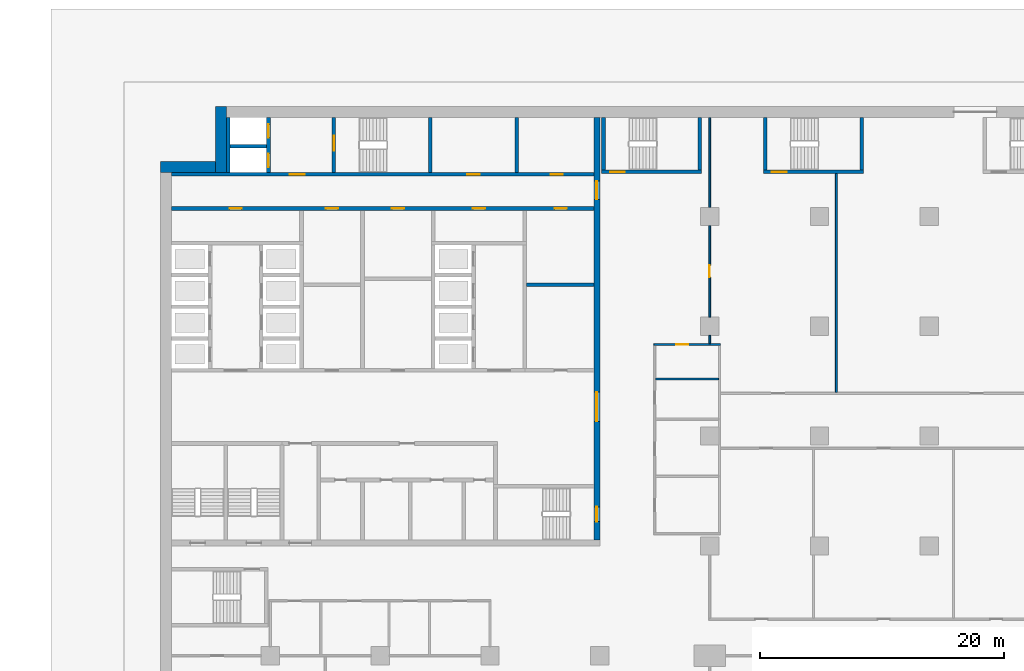
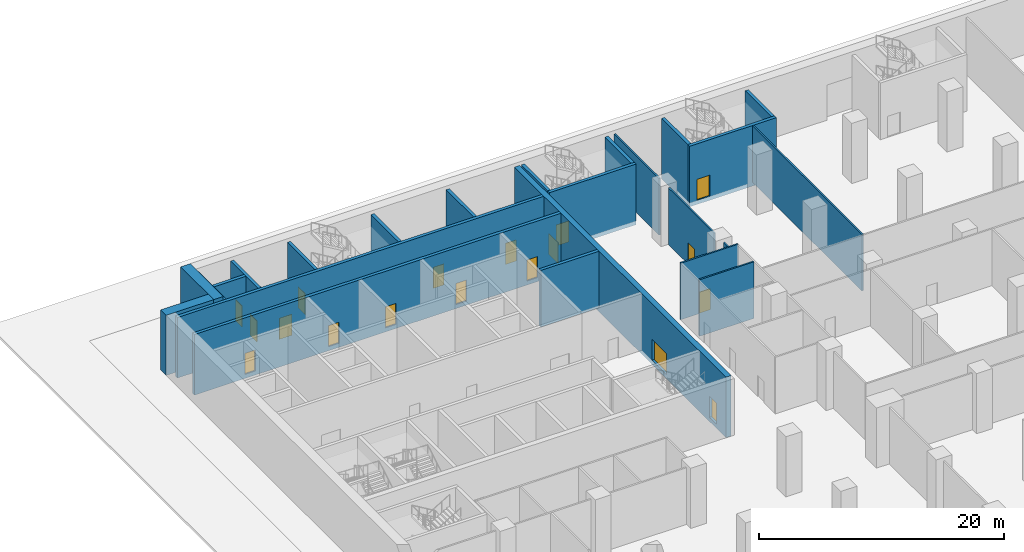
# One storey, part 20 of 47: 24 walls, 18 doors, 18 openings.
"""IFC4 building model written with IfcOpenShell, lengths in metres."""

import ifcopenshell
import ifcopenshell.guid

model = None  # the IFC model being written
_history = None  # IfcOwnerHistory: only IFC2X3 demands one
_inside = {}  # id of a spatial element -> (the spatial element, [elements in it])
_under = {}  # id of a project, library or spatial element -> (it, [spatial elements below it])
_declared = {}  # id of a project -> (the project, [libraries it declares])
_typed = {}  # id of a type object -> (the type object, [elements of that type])
_made_of = {}  # id of a material, layer set ... -> (it, [elements and type objects made of it])


def new_model(schema):
    """Start an empty IFC model of exactly this schema.

    Asked for "IFC4X3", IfcOpenShell would pick the latest addendum, in which some entities
    have other attributes; the version numbers below select the first issue.
    IFC2X3 requires an IfcOwnerHistory on every rooted entity: one is made here for all.
    """
    global model, _history
    if schema == "IFC4X3":
        model = ifcopenshell.file(schema_version=(4, 3, 0, 0))
    else:
        model = ifcopenshell.file(schema=schema)
    _inside.clear()
    _under.clear()
    _declared.clear()
    _typed.clear()
    _made_of.clear()
    _history = None
    if model.schema == "IFC2X3":
        org = make("IfcOrganization", Name="unknown")
        user = make(
            "IfcPersonAndOrganization",
            ThePerson=make("IfcPerson", FamilyName="unknown"),
            TheOrganization=org,
        )
        app = make(
            "IfcApplication",
            ApplicationDeveloper=org,
            Version="unknown",
            ApplicationFullName="unknown",
            ApplicationIdentifier="unknown",
        )
        _history = make(
            "IfcOwnerHistory",
            OwningUser=user,
            OwningApplication=app,
            ChangeAction="ADDED",
            CreationDate=0,
        )
    return model


def make(cls, **values):
    """One entity of the class cls with the attributes given. An attribute that is None is left unset."""
    return model.create_entity(
        cls, **{name: value for name, value in values.items() if value is not None}
    )


def rooted(cls, **values):
    """An entity with a GlobalId (a new one), such as an element, a storey or a relation."""
    return make(cls, GlobalId=ifcopenshell.guid.new(), OwnerHistory=_history, **values)


def si_unit(unit_type, name, prefix=None):
    """IfcSIUnit, for example si_unit("LENGTHUNIT", "METRE", prefix="MILLI")."""
    return make("IfcSIUnit", UnitType=unit_type, Prefix=prefix, Name=name)


def assignment(units):
    """IfcUnitAssignment: the units of a project."""
    return None if units is None else make("IfcUnitAssignment", Units=units)


def point(xyz):
    """IfcCartesianPoint."""
    return None if xyz is None else make("IfcCartesianPoint", Coordinates=xyz)


def direction(xyz):
    """IfcDirection."""
    return None if xyz is None else make("IfcDirection", DirectionRatios=xyz)


def frame(location, z_axis=None, x_axis=None):
    """IfcAxis2Placement3D, a coordinate frame: its origin and axes. An axis left out is left unset."""
    return make(
        "IfcAxis2Placement3D",
        Location=point(location),
        Axis=direction(z_axis),
        RefDirection=direction(x_axis),
    )


def frame_2d(location, x_axis=None):
    """IfcAxis2Placement2D, a coordinate frame in the plane: its origin and x axis."""
    return make(
        "IfcAxis2Placement2D", Location=point(location), RefDirection=direction(x_axis)
    )


def origin():
    """The frame at (0, 0, 0) with its axes left unset."""
    return frame((0.0, 0.0, 0.0))


def place(relative_to, where):
    """IfcLocalPlacement: puts the frame where relative to a parent placement (None: the world)."""
    return make(
        "IfcLocalPlacement", PlacementRelTo=relative_to, RelativePlacement=where
    )


def context(
    kind, dimensions, precision=None, world=None, true_north=None, identifier=None
):
    """IfcGeometricRepresentationContext, for example the 3D "Model" context."""
    return make(
        "IfcGeometricRepresentationContext",
        ContextIdentifier=identifier,
        ContextType=kind,
        CoordinateSpaceDimension=dimensions,
        Precision=precision,
        WorldCoordinateSystem=world,
        TrueNorth=true_north,
    )


def subcontext(parent, identifier, kind, view, scale=None):
    """IfcGeometricRepresentationSubContext, for example "Body" below "Model"."""
    return make(
        "IfcGeometricRepresentationSubContext",
        ContextIdentifier=identifier,
        ContextType=kind,
        ParentContext=parent,
        TargetScale=scale,
        TargetView=view,
    )


def project(units=None, contexts=None):
    """IfcProject with its units and contexts."""
    return rooted(
        "IfcProject",
        Name="project",
        RepresentationContexts=contexts,
        UnitsInContext=assignment(units),
    )


def spatial(cls, under=None, at=None, **own):
    """A site, building, storey or space (cls), placed at a placement, below another one or the project."""
    s = rooted(cls, ObjectPlacement=at, **own)
    if under is not None:
        _under.setdefault(under.id(), (under, []))[1].append(s)
    return s


def profile(cls, at=None, kind="AREA", **sizes):
    """A parametric profile (cls). Its sizes go by their IFC names, for example OverallWidth=200.0."""
    return make(cls, ProfileType=kind, Position=at, **sizes)


def rectangle(**sizes):
    """IfcRectangleProfileDef."""
    return profile("IfcRectangleProfileDef", **sizes)


def extrude(swept, where, along, depth):
    """IfcExtrudedAreaSolid: the profile swept, set in the frame where, extruded along a direction by depth."""
    return make(
        "IfcExtrudedAreaSolid",
        SweptArea=swept,
        Position=where,
        ExtrudedDirection=direction(along),
        Depth=depth,
    )


def shape(context_of_items, identifier, shape_type, items):
    """IfcShapeRepresentation: the items that make up one representation, for example the "Body"."""
    return make(
        "IfcShapeRepresentation",
        ContextOfItems=context_of_items,
        RepresentationIdentifier=identifier,
        RepresentationType=shape_type,
        Items=items,
    )


def material(Name=None, Category=None):
    """IfcMaterial."""
    return make("IfcMaterial", Name=Name, Category=Category)


def layer(
    of_material, thickness, ventilated=None, Name=None, Category=None, Priority=None
):
    """IfcMaterialLayer: one layer of a wall or slab, of a material (None: an air gap)."""
    return make(
        "IfcMaterialLayer",
        Material=of_material,
        LayerThickness=thickness,
        IsVentilated=ventilated,
        Name=Name,
        Category=Category,
        Priority=Priority,
    )


def layer_set(layers, Name=None):
    """IfcMaterialLayerSet."""
    return make("IfcMaterialLayerSet", MaterialLayers=layers, LayerSetName=Name)


def made_of(thing, what):
    """Note that an element or type object is made of a material, layer set ...; save() writes the relation."""
    if what is not None:
        _made_of.setdefault(what.id(), (what, []))[1].append(thing)
    return thing


def type_object(cls, material=None, **own):
    """A type object (cls), such as IfcWallType, which elements share."""
    return made_of(rooted(cls, **own), material)


def element(
    cls,
    number,
    at=None,
    inside=None,
    cuts=None,
    type_object=None,
    material=None,
    context=None,
    identifier="Body",
    shape_type=None,
    held_by="IfcProductDefinitionShape",
    body=None,
    shapes=None,
    **own,
):
    """One element of the class cls, such as IfcWall. Its Tag is "e" and its number.

    at: its placement. inside: the storey or other place that contains it. cuts: it is an
    opening in that element (IfcRelVoidsElement). A single representation is given by context,
    identifier, shape_type and body (its items); several are given by shapes. held_by: the class
    of the entity that holds the representations. save() writes the other relations.
    """
    e = rooted(cls, Tag="e%d" % number, ObjectPlacement=at, **own)
    if body is not None:
        shapes = [shape(context, identifier, shape_type, body)]
    if shapes is not None:
        e.Representation = make(held_by, Representations=shapes)
    if inside is not None:
        _inside.setdefault(inside.id(), (inside, []))[1].append(e)
    if cuts is not None:
        rooted(
            "IfcRelVoidsElement", RelatingBuildingElement=cuts, RelatedOpeningElement=e
        )
    if type_object is not None:
        _typed.setdefault(type_object.id(), (type_object, []))[1].append(e)
    return made_of(e, material)


def fill(opening, filler):
    """IfcRelFillsElement: the door or window that sits in an opening."""
    return rooted(
        "IfcRelFillsElement",
        RelatingOpeningElement=opening,
        RelatedBuildingElement=filler,
    )


def aggregate(whole, parts):
    """IfcRelAggregates: a whole, such as a stair, and the parts it consists of."""
    return rooted("IfcRelAggregates", RelatingObject=whole, RelatedObjects=parts)


def save(model, path):
    """Write the relations noted so far, then the file.

    IfcRelAggregates (storeys below a building ...), IfcRelContainedInSpatialStructure (elements
    in a storey), IfcRelDefinesByType, IfcRelAssociatesMaterial and IfcRelDeclares: one each for
    every whole, place, type object, material and project.
    """
    for whole, parts in _under.values():
        aggregate(whole, parts)
    for where, things in _inside.values():
        rooted(
            "IfcRelContainedInSpatialStructure",
            RelatedElements=things,
            RelatingStructure=where,
        )
    for kind, things in _typed.values():
        rooted("IfcRelDefinesByType", RelatedObjects=things, RelatingType=kind)
    for what, things in _made_of.values():
        rooted("IfcRelAssociatesMaterial", RelatedObjects=things, RelatingMaterial=what)
    for by, libraries in _declared.values():
        rooted("IfcRelDeclares", RelatingContext=by, RelatedDefinitions=libraries)
    model.write(path)


model = new_model("IFC4")

# Units and contexts
model_context = context("Model", 3, precision=1e-05, world=origin(), true_north=direction((0.0, 1.0)))
body_context = subcontext(model_context, "Body", "Model", "MODEL_VIEW")
ifc_project = project(units=[si_unit("LENGTHUNIT", "METRE"), si_unit("AREAUNIT", "SQUARE_METRE"), si_unit("VOLUMEUNIT", "CUBIC_METRE"), si_unit("PLANEANGLEUNIT", "RADIAN"), si_unit("MASSUNIT", "GRAM", prefix="KILO")], contexts=[model_context])

# Site, building, storey
site_placement = place(None, origin())
site = spatial("IfcSite", under=ifc_project, at=site_placement, CompositionType="ELEMENT")
building_placement = place(site_placement, origin())
building = spatial("IfcBuilding", under=site, at=building_placement, Name="Hunhe Ridgeline Campus", CompositionType="ELEMENT")
storey_placement = place(building_placement, origin())
storey = spatial("IfcBuildingStorey", under=building, at=storey_placement, Name="L00", CompositionType="ELEMENT", Elevation=0.0)

# Wall
ifc_material_1 = material(Name="Plastered blockwork", Category="masonry")
ifc_layer_1 = layer(ifc_material_1, 0.14990234375)
ifc_layer_set_1 = layer_set([ifc_layer_1], Name="Blockwork partition 150")
wall_type_1 = type_object("IfcWallType", Name="Blockwork partition 150", PredefinedType="PARTITIONING", material=ifc_layer_set_1)
wall_1_placement = place(storey_placement, frame((45.0, 79.574951171875, 0.0), z_axis=(0.0, 0.0, 1.0), x_axis=(0.0, 1.0, 0.0)))
element("IfcWall", 1, at=wall_1_placement, inside=storey, type_object=wall_type_1, Name="L00 partition", PredefinedType="PARTITIONING", context=body_context, shape_type="SweptSolid", body=[
    extrude(rectangle(XDim=0.675048828125, YDim=0.14990234375, at=frame_2d((0.33740234375, 0.0))), origin(), (0.0, 0.0, 1.0), 5.64990234375),
])

# Wall, opening, door
wall_2_placement = place(storey_placement, frame((45.0, 81.75, 0.0), z_axis=(0.0, 0.0, 1.0), x_axis=(0.0, 1.0, 0.0)))
wall_2 = element("IfcWall", 2, at=wall_2_placement, inside=storey, type_object=wall_type_1, Name="L00 partition", PredefinedType="PARTITIONING", context=body_context, shape_type="SweptSolid", body=[
    extrude(rectangle(XDim=7.5, YDim=0.14990234375, at=frame_2d((3.75, 0.0))), origin(), (0.0, 0.0, 1.0), 5.64990234375),
])
opening_1_placement = place(wall_2_placement, frame((3.25, 0.0, 0.0)))
opening_1 = element("IfcOpeningElement", 3, at=opening_1_placement, cuts=wall_2, Name="Opening PD167", PredefinedType="OPENING", context=body_context, shape_type="SweptSolid", body=[
    extrude(rectangle(XDim=1.0, YDim=2.10009765625, at=frame_2d((0.5, 1.050048828125))), frame((0.0, 0.074951171875, 0.0), z_axis=(0.0, -1.0, 0.0), x_axis=(1.0, 0.0, 0.0)), (0.0, 0.0, 1.0), 0.14990234375),
])
ifc_material_2 = material(Name="Timber", Category="wood")
door_type_1 = type_object("IfcDoorType", Name="Podium timber door 1000x2100", OperationType="NOTDEFINED", PredefinedType="DOOR", material=ifc_material_2)
door_1_placement = place(opening_1_placement, origin())
door_1 = element("IfcDoor", 4, at=door_1_placement, inside=storey, type_object=door_type_1, Name="Goods Receiving Store door", OperationType="SINGLE_SWING_RIGHT", OverallHeight=2.10009765625, OverallWidth=1.0, PredefinedType="DOOR", context=body_context, shape_type="SweptSolid", body=[
    extrude(rectangle(XDim=1.0, YDim=2.10009765625, at=frame_2d((0.5, 1.050048828125))), frame((0.0, 0.02490234375, 0.0), z_axis=(0.0, -1.0, 0.0), x_axis=(1.0, 0.0, 0.0)), (0.0, 0.0, 1.0), 0.050048828125),
])
fill(opening_1, door_1)

# Walls
wall_3_placement = place(storey_placement, frame((45.0, 90.75, 0.0), z_axis=(0.0, 0.0, 1.0), x_axis=(0.0, 1.0, 0.0)))
element("IfcWall", 5, at=wall_3_placement, inside=storey, type_object=wall_type_1, Name="L00 partition", PredefinedType="PARTITIONING", context=body_context, shape_type="SweptSolid", body=[
    extrude(rectangle(XDim=7.35009765625, YDim=0.14990234375, at=frame_2d((3.675048828125, 0.0))), origin(), (0.0, 0.0, 1.0), 5.64990234375),
])
wall_4_placement = place(storey_placement, frame((40.574951171875, 76.681884765625, 0.0), z_axis=(0.0, 0.0, 1.0), x_axis=(1.0, 0.0, 0.0)))
element("IfcWall", 6, at=wall_4_placement, inside=storey, type_object=wall_type_1, Name="L00 partition", PredefinedType="PARTITIONING", context=body_context, shape_type="SweptSolid", body=[
    extrude(rectangle(XDim=5.150146484375, YDim=0.14990234375, at=frame_2d((2.5751953125, 0.0))), origin(), (0.0, 0.0, 1.0), 5.64990234375),
])

# Wall, opening, door
wall_5_placement = place(storey_placement, frame((40.425048828125, 79.5, 0.0), z_axis=(0.0, 0.0, 1.0), x_axis=(1.0, 0.0, 0.0)))
wall_5 = element("IfcWall", 7, at=wall_5_placement, inside=storey, type_object=wall_type_1, Name="L00 partition", PredefinedType="PARTITIONING", context=body_context, shape_type="SweptSolid", body=[
    extrude(rectangle(XDim=5.449951171875, YDim=0.14990234375, at=frame_2d((2.72509765625, 0.0))), origin(), (0.0, 0.0, 1.0), 5.64990234375),
])
opening_2_placement = place(wall_5_placement, frame((1.824951171875, 0.0, 0.0)))
opening_2 = element("IfcOpeningElement", 8, at=opening_2_placement, cuts=wall_5, Name="Opening PD156", PredefinedType="OPENING", context=body_context, shape_type="SweptSolid", body=[
    extrude(rectangle(XDim=1.0, YDim=2.10009765625, at=frame_2d((0.5, 1.050048828125))), frame((0.0, 0.074951171875, 0.0), z_axis=(0.0, -1.0, 0.0), x_axis=(1.0, 0.0, 0.0)), (0.0, 0.0, 1.0), 0.14990234375),
])
door_2_placement = place(opening_2_placement, origin())
door_2 = element("IfcDoor", 9, at=door_2_placement, inside=storey, type_object=door_type_1, Name="Cleaners Store door", OperationType="SINGLE_SWING_LEFT", OverallHeight=2.10009765625, OverallWidth=1.0, PredefinedType="DOOR", context=body_context, shape_type="SweptSolid", body=[
    extrude(rectangle(XDim=1.0, YDim=2.10009765625, at=frame_2d((0.5, 1.050048828125))), frame((0.0, 0.02490234375, 0.0), z_axis=(0.0, -1.0, 0.0), x_axis=(1.0, 0.0, 0.0)), (0.0, 0.0, 1.0), 0.050048828125),
])
fill(opening_2, door_2)

# Walls
wall_6_placement = place(storey_placement, frame((55.385009765625, 75.574951171875, 0.0), z_axis=(0.0, 0.0, 1.0), x_axis=(0.0, 1.0, 0.0)))
element("IfcWall", 10, at=wall_6_placement, inside=storey, type_object=wall_type_1, Name="L00 partition", PredefinedType="PARTITIONING", context=body_context, shape_type="SweptSolid", body=[
    extrude(rectangle(XDim=17.925048828125, YDim=0.14990234375, at=frame_2d((8.96240234375, 0.0))), origin(), (0.0, 0.0, 1.0), 5.64990234375),
])
ifc_material_3 = material(Name="Masonry concrete blockwork", Category="masonry")
ifc_layer_2 = layer(ifc_material_3, 0.300048828125)
ifc_layer_set_2 = layer_set([ifc_layer_2], Name="Core room partition 300 concrete block")
wall_type_2 = type_object("IfcWallType", Name="Core room partition 300 concrete block", PredefinedType="PARTITIONING", material=ifc_layer_set_2)
wall_7_placement = place(storey_placement, frame((30.0, 84.39990234375, 0.0), z_axis=(0.0, 0.0, 1.0), x_axis=(1.0, 0.0, 0.0)))
element("IfcWall", 11, at=wall_7_placement, inside=storey, type_object=wall_type_2, Name="L00 core partition 23", PredefinedType="PARTITIONING", context=body_context, shape_type="SweptSolid", body=[
    extrude(rectangle(XDim=5.5, YDim=0.300048828125, at=frame_2d((2.75, 0.0))), origin(), (0.0, 0.0, 1.0), 5.64990234375),
])
wall_8_placement = place(storey_placement, frame((29.199951171875, 93.60009765625, 0.0), z_axis=(0.0, 0.0, 1.0), x_axis=(0.0, 1.0, 0.0)))
element("IfcWall", 12, at=wall_8_placement, inside=storey, type_object=wall_type_2, Name="L00 core partition 61", PredefinedType="PARTITIONING", context=body_context, shape_type="SweptSolid", body=[
    extrude(rectangle(XDim=4.5, YDim=0.300048828125, at=frame_2d((2.25, 0.0))), origin(), (0.0, 0.0, 1.0), 5.64990234375),
])

# Wall, openings, doors
ifc_material_4 = material(Name="Concrete C80", Category="concrete")
ifc_layer_3 = layer(ifc_material_4, 0.5)
ifc_layer_set_3 = layer_set([ifc_layer_3], Name="Core wall 500 reinforced concrete C80")
wall_type_3 = type_object("IfcWallType", Name="Core wall 500 reinforced concrete C80", PredefinedType="SOLIDWALL", material=ifc_layer_set_3)
wall_9_placement = place(storey_placement, frame((35.75, 63.5, -0.39990234375), z_axis=(0.0, 0.0, 1.0), x_axis=(0.0, 1.0, 0.0)))
wall_9 = element("IfcWall", 13, at=wall_9_placement, inside=storey, type_object=wall_type_3, Name="L00 core wall 64", PredefinedType="SOLIDWALL", context=body_context, shape_type="SweptSolid", body=[
    extrude(rectangle(XDim=34.60009765625, YDim=0.5, at=frame_2d((17.300048828125, 0.0))), origin(), (0.0, 0.0, 1.0), 6.0498046875),
])
opening_3_placement = place(wall_9_placement, frame((9.699951171875, 0.0, 0.39990234375)))
opening_3 = element("IfcOpeningElement", 14, at=opening_3_placement, cuts=wall_9, Name="Opening CD4", PredefinedType="OPENING", context=body_context, shape_type="SweptSolid", body=[
    extrude(rectangle(XDim=2.39990234375, YDim=2.10009765625, at=frame_2d((1.199951171875, 1.050048828125))), frame((0.0, 0.25, 0.0), z_axis=(0.0, -1.0, 0.0), x_axis=(1.0, 0.0, 0.0)), (0.0, 0.0, 1.0), 0.5),
])
opening_4_placement = place(wall_9_placement, frame((27.89990234375, 0.0, 0.39990234375)))
opening_4 = element("IfcOpeningElement", 15, at=opening_4_placement, cuts=wall_9, Name="Opening CD5", PredefinedType="OPENING", context=body_context, shape_type="SweptSolid", body=[
    extrude(rectangle(XDim=1.5, YDim=2.10009765625, at=frame_2d((0.75, 1.050048828125))), frame((0.0, 0.25, 0.0), z_axis=(0.0, -1.0, 0.0), x_axis=(1.0, 0.0, 0.0)), (0.0, 0.0, 1.0), 0.5),
])
opening_5_placement = place(wall_9_placement, frame((1.5, 0.0, 0.39990234375)))
opening_5 = element("IfcOpeningElement", 16, at=opening_5_placement, cuts=wall_9, Name="Opening CD15", PredefinedType="OPENING", context=body_context, shape_type="SweptSolid", body=[
    extrude(rectangle(XDim=1.199951171875, YDim=2.10009765625, at=frame_2d((0.60009765625, 1.050048828125))), frame((0.0, 0.25, 0.0), z_axis=(0.0, -1.0, 0.0), x_axis=(1.0, 0.0, 0.0)), (0.0, 0.0, 1.0), 0.5),
])
ifc_material_5 = material(Name="Anodised aluminium and glass", Category="aluminium")
door_type_2 = type_object("IfcDoorType", Name="Glazed double door 2400x2100", OperationType="DOUBLE_DOOR_SINGLE_SWING", PredefinedType="DOOR", material=ifc_material_5)
door_3_placement = place(opening_3_placement, frame((2.39990234375, 0.0, 0.0), z_axis=(0.0, 0.0, 1.0), x_axis=(-1.0, 0.0, 0.0)))
door_3 = element("IfcDoor", 17, at=door_3_placement, inside=storey, type_object=door_type_2, Name="L00 door HALL-FLOOR", OperationType="DOUBLE_DOOR_SINGLE_SWING", OverallHeight=2.10009765625, OverallWidth=2.39990234375, PredefinedType="DOOR", context=body_context, shape_type="SweptSolid", body=[
    extrude(rectangle(XDim=2.39990234375, YDim=2.10009765625, at=frame_2d((1.199951171875, 1.050048828125))), frame((0.0, 0.02490234375, 0.0), z_axis=(0.0, -1.0, 0.0), x_axis=(1.0, 0.0, 0.0)), (0.0, 0.0, 1.0), 0.050048828125),
])
fill(opening_3, door_3)
ifc_material_6 = material(Name="Hollow metal fire door leaf")
door_type_3 = type_object("IfcDoorType", Name="Stair door 1200x2100 FD60", OperationType="SINGLE_SWING_LEFT", PredefinedType="DOOR", material=ifc_material_6)
door_4_placement = place(opening_5_placement, frame((1.199951171875, 0.0, 0.0), z_axis=(0.0, 0.0, 1.0), x_axis=(-1.0, 0.0, 0.0)))
door_4 = element("IfcDoor", 18, at=door_4_placement, inside=storey, type_object=door_type_3, Name="L00 door S2-FLOOR", OperationType="SINGLE_SWING_RIGHT", OverallHeight=2.10009765625, OverallWidth=1.199951171875, PredefinedType="DOOR", context=body_context, shape_type="SweptSolid", body=[
    extrude(rectangle(XDim=1.199951171875, YDim=2.10009765625, at=frame_2d((0.60009765625, 1.050048828125))), frame((0.0, 0.02490234375, 0.0), z_axis=(0.0, -1.0, 0.0), x_axis=(1.0, 0.0, 0.0)), (0.0, 0.0, 1.0), 0.050048828125),
])
fill(opening_5, door_4)
ifc_material_7 = material(Name="Solid core timber door leaf", Category="wood")
door_type_4 = type_object("IfcDoorType", Name="Timber door 1500x2100", OperationType="SINGLE_SWING_LEFT", PredefinedType="DOOR", material=ifc_material_7)
door_5_placement = place(opening_4_placement, frame((1.5, 0.0, 0.0), z_axis=(0.0, 0.0, 1.0), x_axis=(-1.0, 0.0, 0.0)))
door_5 = element("IfcDoor", 19, at=door_5_placement, inside=storey, type_object=door_type_4, Name="L00 door C1-FLOOR", OperationType="SINGLE_SWING_RIGHT", OverallHeight=2.10009765625, OverallWidth=1.5, PredefinedType="DOOR", context=body_context, shape_type="SweptSolid", body=[
    extrude(rectangle(XDim=1.5, YDim=2.10009765625, at=frame_2d((0.75, 1.050048828125))), frame((0.0, 0.02490234375, 0.0), z_axis=(0.0, -1.0, 0.0), x_axis=(1.0, 0.0, 0.0)), (0.0, 0.0, 1.0), 0.050048828125),
])
fill(opening_4, door_5)

ifc_layer_4 = layer(ifc_material_4, 0.300048828125)
ifc_layer_set_4 = layer_set([ifc_layer_4], Name="Lobby wall 300 reinforced concrete C80")
wall_type_4 = type_object("IfcWallType", Name="Lobby wall 300 reinforced concrete C80", PredefinedType="SOLIDWALL", material=ifc_layer_set_4)
wall_10_placement = place(storey_placement, frame((0.89990234375, 90.64990234375, -0.39990234375), z_axis=(0.0, 0.0, 1.0), x_axis=(1.0, 0.0, 0.0)))
wall_10 = element("IfcWall", 20, at=wall_10_placement, inside=storey, type_object=wall_type_4, Name="L00 core wall 30", PredefinedType="SOLIDWALL", context=body_context, shape_type="SweptSolid", body=[
    extrude(rectangle(XDim=34.60009765625, YDim=0.300048828125, at=frame_2d((17.300048828125, 0.0))), origin(), (0.0, 0.0, 1.0), 6.0498046875),
])
opening_6_placement = place(wall_10_placement, frame((4.75, 0.0, 0.39990234375)))
opening_6 = element("IfcOpeningElement", 21, at=opening_6_placement, cuts=wall_10, Name="Opening CD26", PredefinedType="OPENING", context=body_context, shape_type="SweptSolid", body=[
    extrude(rectangle(XDim=1.0, YDim=2.10009765625, at=frame_2d((0.5, 1.050048828125))), frame((0.0, 0.14990234375, 0.0), z_axis=(0.0, -1.0, 0.0), x_axis=(1.0, 0.0, 0.0)), (0.0, 0.0, 1.0), 0.300048828125),
])
opening_7_placement = place(wall_10_placement, frame((24.699951171875, 0.0, 0.39990234375)))
opening_7 = element("IfcOpeningElement", 22, at=opening_7_placement, cuts=wall_10, Name="Opening CD27", PredefinedType="OPENING", context=body_context, shape_type="SweptSolid", body=[
    extrude(rectangle(XDim=1.0, YDim=2.10009765625, at=frame_2d((0.5, 1.050048828125))), frame((0.0, 0.14990234375, 0.0), z_axis=(0.0, -1.0, 0.0), x_axis=(1.0, 0.0, 0.0)), (0.0, 0.0, 1.0), 0.300048828125),
])
opening_8_placement = place(wall_10_placement, frame((12.64990234375, 0.0, 0.39990234375)))
opening_8 = element("IfcOpeningElement", 23, at=opening_8_placement, cuts=wall_10, Name="Opening CD29", PredefinedType="OPENING", context=body_context, shape_type="SweptSolid", body=[
    extrude(rectangle(XDim=1.0, YDim=2.10009765625, at=frame_2d((0.5, 1.050048828125))), frame((0.0, 0.14990234375, 0.0), z_axis=(0.0, -1.0, 0.0), x_axis=(1.0, 0.0, 0.0)), (0.0, 0.0, 1.0), 0.300048828125),
])
opening_9_placement = place(wall_10_placement, frame((18.050048828125, 0.0, 0.39990234375)))
opening_9 = element("IfcOpeningElement", 24, at=opening_9_placement, cuts=wall_10, Name="Opening CD31", PredefinedType="OPENING", context=body_context, shape_type="SweptSolid", body=[
    extrude(rectangle(XDim=1.0, YDim=2.10009765625, at=frame_2d((0.5, 1.050048828125))), frame((0.0, 0.14990234375, 0.0), z_axis=(0.0, -1.0, 0.0), x_axis=(1.0, 0.0, 0.0)), (0.0, 0.0, 1.0), 0.300048828125),
])
opening_10_placement = place(wall_10_placement, frame((31.39990234375, 0.0, 0.39990234375)))
opening_10 = element("IfcOpeningElement", 25, at=opening_10_placement, cuts=wall_10, Name="Opening CD33", PredefinedType="OPENING", context=body_context, shape_type="SweptSolid", body=[
    extrude(rectangle(XDim=1.0, YDim=2.10009765625, at=frame_2d((0.5, 1.050048828125))), frame((0.0, 0.14990234375, 0.0), z_axis=(0.0, -1.0, 0.0), x_axis=(1.0, 0.0, 0.0)), (0.0, 0.0, 1.0), 0.300048828125),
])
door_type_5 = type_object("IfcDoorType", Name="Timber door 1000x2100", OperationType="SINGLE_SWING_LEFT", PredefinedType="DOOR", material=ifc_material_7)
door_6_placement = place(opening_6_placement, frame((1.0, 0.0, 0.0), z_axis=(0.0, 0.0, 1.0), x_axis=(-1.0, 0.0, 0.0)))
door_6 = element("IfcDoor", 26, at=door_6_placement, inside=storey, type_object=door_type_5, Name="L00 door NR-0", OperationType="SINGLE_SWING_RIGHT", OverallHeight=2.10009765625, OverallWidth=1.0, PredefinedType="DOOR", context=body_context, shape_type="SweptSolid", body=[
    extrude(rectangle(XDim=1.0, YDim=2.10009765625, at=frame_2d((0.5, 1.050048828125))), frame((0.0, 0.02490234375, 0.0), z_axis=(0.0, -1.0, 0.0), x_axis=(1.0, 0.0, 0.0)), (0.0, 0.0, 1.0), 0.050048828125),
])
fill(opening_6, door_6)
door_7_placement = place(opening_7_placement, frame((1.0, 0.0, 0.0), z_axis=(0.0, 0.0, 1.0), x_axis=(-1.0, 0.0, 0.0)))
door_7 = element("IfcDoor", 27, at=door_7_placement, inside=storey, type_object=door_type_5, Name="L00 door NR-1", OperationType="SINGLE_SWING_LEFT", OverallHeight=2.10009765625, OverallWidth=1.0, PredefinedType="DOOR", context=body_context, shape_type="SweptSolid", body=[
    extrude(rectangle(XDim=1.0, YDim=2.10009765625, at=frame_2d((0.5, 1.050048828125))), frame((0.0, 0.02490234375, 0.0), z_axis=(0.0, -1.0, 0.0), x_axis=(1.0, 0.0, 0.0)), (0.0, 0.0, 1.0), 0.050048828125),
])
fill(opening_7, door_7)
door_8_placement = place(opening_8_placement, frame((1.0, 0.0, 0.0), z_axis=(0.0, 0.0, 1.0), x_axis=(-1.0, 0.0, 0.0)))
door_8 = element("IfcDoor", 28, at=door_8_placement, inside=storey, type_object=door_type_5, Name="L00 door VD-HR1", OperationType="SINGLE_SWING_LEFT", OverallHeight=2.10009765625, OverallWidth=1.0, PredefinedType="DOOR", context=body_context, shape_type="SweptSolid", body=[
    extrude(rectangle(XDim=1.0, YDim=2.10009765625, at=frame_2d((0.5, 1.050048828125))), frame((0.0, 0.02490234375, 0.0), z_axis=(0.0, -1.0, 0.0), x_axis=(1.0, 0.0, 0.0)), (0.0, 0.0, 1.0), 0.050048828125),
])
fill(opening_8, door_8)
door_9_placement = place(opening_9_placement, frame((1.0, 0.0, 0.0), z_axis=(0.0, 0.0, 1.0), x_axis=(-1.0, 0.0, 0.0)))
door_9 = element("IfcDoor", 29, at=door_9_placement, inside=storey, type_object=door_type_5, Name="L00 door VD-HR3", OperationType="SINGLE_SWING_LEFT", OverallHeight=2.10009765625, OverallWidth=1.0, PredefinedType="DOOR", context=body_context, shape_type="SweptSolid", body=[
    extrude(rectangle(XDim=1.0, YDim=2.10009765625, at=frame_2d((0.5, 1.050048828125))), frame((0.0, 0.02490234375, 0.0), z_axis=(0.0, -1.0, 0.0), x_axis=(1.0, 0.0, 0.0)), (0.0, 0.0, 1.0), 0.050048828125),
])
fill(opening_9, door_9)
door_10_placement = place(opening_10_placement, frame((1.0, 0.0, 0.0), z_axis=(0.0, 0.0, 1.0), x_axis=(-1.0, 0.0, 0.0)))
door_10 = element("IfcDoor", 30, at=door_10_placement, inside=storey, type_object=door_type_5, Name="L00 door ES1", OperationType="SINGLE_SWING_RIGHT", OverallHeight=2.10009765625, OverallWidth=1.0, PredefinedType="DOOR", context=body_context, shape_type="SweptSolid", body=[
    extrude(rectangle(XDim=1.0, YDim=2.10009765625, at=frame_2d((0.5, 1.050048828125))), frame((0.0, 0.02490234375, 0.0), z_axis=(0.0, -1.0, 0.0), x_axis=(1.0, 0.0, 0.0)), (0.0, 0.0, 1.0), 0.050048828125),
])
fill(opening_10, door_10)

ifc_layer_5 = layer(ifc_material_4, 0.300048828125)
ifc_layer_set_5 = layer_set([ifc_layer_5], Name="Shaft wall 300 reinforced concrete C80")
wall_type_5 = type_object("IfcWallType", Name="Shaft wall 300 reinforced concrete C80", PredefinedType="SOLIDWALL", material=ifc_layer_set_5)
wall_11_placement = place(storey_placement, frame((0.89990234375, 93.449951171875, -0.39990234375), z_axis=(0.0, 0.0, 1.0), x_axis=(1.0, 0.0, 0.0)))
wall_11 = element("IfcWall", 31, at=wall_11_placement, inside=storey, type_object=wall_type_5, Name="L00 core wall 31", PredefinedType="SOLIDWALL", context=body_context, shape_type="SweptSolid", body=[
    extrude(rectangle(XDim=34.60009765625, YDim=0.300048828125, at=frame_2d((17.300048828125, 0.0))), origin(), (0.0, 0.0, 1.0), 6.0498046875),
])
opening_11_placement = place(wall_11_placement, frame((9.699951171875, 0.0, 0.39990234375)))
opening_11 = element("IfcOpeningElement", 32, at=opening_11_placement, cuts=wall_11, Name="Opening CD3", PredefinedType="OPENING", context=body_context, shape_type="SweptSolid", body=[
    extrude(rectangle(XDim=1.199951171875, YDim=2.10009765625, at=frame_2d((0.60009765625, 1.050048828125))), frame((0.0, 0.14990234375, 0.0), z_axis=(0.0, -1.0, 0.0), x_axis=(1.0, 0.0, 0.0)), (0.0, 0.0, 1.0), 0.300048828125),
])
opening_12_placement = place(wall_11_placement, frame((24.25, 0.0, 0.39990234375)))
opening_12 = element("IfcOpeningElement", 33, at=opening_12_placement, cuts=wall_11, Name="Opening CD34", PredefinedType="OPENING", context=body_context, shape_type="SweptSolid", body=[
    extrude(rectangle(XDim=1.0, YDim=2.10009765625, at=frame_2d((0.5, 1.050048828125))), frame((0.0, 0.14990234375, 0.0), z_axis=(0.0, -1.0, 0.0), x_axis=(1.0, 0.0, 0.0)), (0.0, 0.0, 1.0), 0.300048828125),
])
opening_13_placement = place(wall_11_placement, frame((31.074951171875, 0.0, 0.39990234375)))
opening_13 = element("IfcOpeningElement", 34, at=opening_13_placement, cuts=wall_11, Name="Opening CD35", PredefinedType="OPENING", context=body_context, shape_type="SweptSolid", body=[
    extrude(rectangle(XDim=1.0, YDim=2.10009765625, at=frame_2d((0.5, 1.050048828125))), frame((0.0, 0.14990234375, 0.0), z_axis=(0.0, -1.0, 0.0), x_axis=(1.0, 0.0, 0.0)), (0.0, 0.0, 1.0), 0.300048828125),
])
door_type_6 = type_object("IfcDoorType", Name="Lobby door 1200x2100 FD60", OperationType="SINGLE_SWING_LEFT", PredefinedType="DOOR", material=ifc_material_6)
door_11_placement = place(opening_11_placement, frame((1.199951171875, 0.0, 0.0), z_axis=(0.0, 0.0, 1.0), x_axis=(-1.0, 0.0, 0.0)))
door_11 = element("IfcDoor", 35, at=door_11_placement, inside=storey, type_object=door_type_6, Name="L00 door FF-C1", OperationType="SINGLE_SWING_LEFT", OverallHeight=2.10009765625, OverallWidth=1.199951171875, PredefinedType="DOOR", context=body_context, shape_type="SweptSolid", body=[
    extrude(rectangle(XDim=1.199951171875, YDim=2.10009765625, at=frame_2d((0.60009765625, 1.050048828125))), frame((0.0, 0.02490234375, 0.0), z_axis=(0.0, -1.0, 0.0), x_axis=(1.0, 0.0, 0.0)), (0.0, 0.0, 1.0), 0.050048828125),
])
fill(opening_11, door_11)
door_12_placement = place(opening_12_placement, origin())
door_12 = element("IfcDoor", 36, at=door_12_placement, inside=storey, type_object=door_type_5, Name="L00 door NB0", OperationType="SINGLE_SWING_RIGHT", OverallHeight=2.10009765625, OverallWidth=1.0, PredefinedType="DOOR", context=body_context, shape_type="SweptSolid", body=[
    extrude(rectangle(XDim=1.0, YDim=2.10009765625, at=frame_2d((0.5, 1.050048828125))), frame((0.0, 0.02490234375, 0.0), z_axis=(0.0, -1.0, 0.0), x_axis=(1.0, 0.0, 0.0)), (0.0, 0.0, 1.0), 0.050048828125),
])
fill(opening_12, door_12)
door_13_placement = place(opening_13_placement, origin())
door_13 = element("IfcDoor", 37, at=door_13_placement, inside=storey, type_object=door_type_5, Name="L00 door NB1", OperationType="SINGLE_SWING_LEFT", OverallHeight=2.10009765625, OverallWidth=1.0, PredefinedType="DOOR", context=body_context, shape_type="SweptSolid", body=[
    extrude(rectangle(XDim=1.0, YDim=2.10009765625, at=frame_2d((0.5, 1.050048828125))), frame((0.0, 0.02490234375, 0.0), z_axis=(0.0, -1.0, 0.0), x_axis=(1.0, 0.0, 0.0)), (0.0, 0.0, 1.0), 0.050048828125),
])
fill(opening_13, door_13)

# Walls
wall_12_placement = place(storey_placement, frame((5.699951171875, 95.75, -0.39990234375), z_axis=(0.0, 0.0, 1.0), x_axis=(1.0, 0.0, 0.0)))
element("IfcWall", 38, at=wall_12_placement, inside=storey, type_object=wall_type_5, Name="L00 core wall 36", PredefinedType="SOLIDWALL", context=body_context, shape_type="SweptSolid", body=[
    extrude(rectangle(XDim=3.0, YDim=0.300048828125, at=frame_2d((1.5, 0.0))), origin(), (0.0, 0.0, 1.0), 6.0498046875),
])
wall_13_placement = place(storey_placement, frame((5.550048828125, 93.60009765625, -0.39990234375), z_axis=(0.0, 0.0, 1.0), x_axis=(0.0, 1.0, 0.0)))
element("IfcWall", 39, at=wall_13_placement, inside=storey, type_object=wall_type_5, Name="L00 core wall 39", PredefinedType="SOLIDWALL", context=body_context, shape_type="SweptSolid", body=[
    extrude(rectangle(XDim=4.5, YDim=0.300048828125, at=frame_2d((2.25, 0.0))), origin(), (0.0, 0.0, 1.0), 6.0498046875),
])

# Wall, openings, doors
wall_14_placement = place(storey_placement, frame((8.85009765625, 93.60009765625, -0.39990234375), z_axis=(0.0, 0.0, 1.0), x_axis=(0.0, 1.0, 0.0)))
wall_14 = element("IfcWall", 40, at=wall_14_placement, inside=storey, type_object=wall_type_5, Name="L00 core wall 43", PredefinedType="SOLIDWALL", context=body_context, shape_type="SweptSolid", body=[
    extrude(rectangle(XDim=4.5, YDim=0.300048828125, at=frame_2d((2.25, 0.0))), origin(), (0.0, 0.0, 1.0), 6.0498046875),
])
opening_14_placement = place(wall_14_placement, frame((0.449951171875, 0.0, 0.39990234375)))
opening_14 = element("IfcOpeningElement", 41, at=opening_14_placement, cuts=wall_14, Name="Opening LD-FF1", PredefinedType="OPENING", context=body_context, shape_type="SweptSolid", body=[
    extrude(rectangle(XDim=1.10009765625, YDim=2.10009765625, at=frame_2d((0.550048828125, 1.050048828125))), frame((0.0, 0.14990234375, 0.0), z_axis=(0.0, -1.0, 0.0), x_axis=(1.0, 0.0, 0.0)), (0.0, 0.0, 1.0), 0.300048828125),
])
opening_15_placement = place(wall_14_placement, frame((2.85009765625, 0.0, 0.39990234375)))
opening_15 = element("IfcOpeningElement", 42, at=opening_15_placement, cuts=wall_14, Name="Opening LD-FF2", PredefinedType="OPENING", context=body_context, shape_type="SweptSolid", body=[
    extrude(rectangle(XDim=1.10009765625, YDim=2.10009765625, at=frame_2d((0.550048828125, 1.050048828125))), frame((0.0, 0.14990234375, 0.0), z_axis=(0.0, -1.0, 0.0), x_axis=(1.0, 0.0, 0.0)), (0.0, 0.0, 1.0), 0.300048828125),
])
ifc_material_8 = material(Name="Stainless steel sliding leaves", Category="steel")
door_type_7 = type_object("IfcDoorType", Name="Landing door 1100x2100 FD120", OperationType="SLIDING_TO_LEFT", PredefinedType="DOOR", material=ifc_material_8)
door_14_placement = place(opening_14_placement, origin())
door_14 = element("IfcDoor", 43, at=door_14_placement, inside=storey, type_object=door_type_7, Name="L00 landing door FF1", OperationType="SLIDING_TO_RIGHT", OverallHeight=2.10009765625, OverallWidth=1.10009765625, PredefinedType="DOOR", context=body_context, shape_type="SweptSolid", body=[
    extrude(rectangle(XDim=1.10009765625, YDim=2.10009765625, at=frame_2d((0.550048828125, 1.050048828125))), frame((0.0, 0.02490234375, 0.0), z_axis=(0.0, -1.0, 0.0), x_axis=(1.0, 0.0, 0.0)), (0.0, 0.0, 1.0), 0.050048828125),
])
fill(opening_14, door_14)
door_15_placement = place(opening_15_placement, origin())
door_15 = element("IfcDoor", 44, at=door_15_placement, inside=storey, type_object=door_type_7, Name="L00 landing door FF2", OperationType="SLIDING_TO_LEFT", OverallHeight=2.10009765625, OverallWidth=1.10009765625, PredefinedType="DOOR", context=body_context, shape_type="SweptSolid", body=[
    extrude(rectangle(XDim=1.10009765625, YDim=2.10009765625, at=frame_2d((0.550048828125, 1.050048828125))), frame((0.0, 0.02490234375, 0.0), z_axis=(0.0, -1.0, 0.0), x_axis=(1.0, 0.0, 0.0)), (0.0, 0.0, 1.0), 0.050048828125),
])
fill(opening_15, door_15)

# Walls
ifc_layer_6 = layer(ifc_material_4, 0.89990234375)
ifc_layer_set_6 = layer_set([ifc_layer_6], Name="Spine wall 900 Concrete C80")
wall_type_6 = type_object("IfcWallType", Name="Spine wall 900 Concrete C80", PredefinedType="SHEAR", material=ifc_layer_set_6)
for number, where, z_axis, x_axis, name in (
    (45, (4.949951171875, 99.0, 0.0), (0.0, 0.0, 1.0), (0.0, -1.0, 0.0), "Spine wall SW1-5 L00"),
    (46, (5.400146484375, 94.050048828125, 0.0), (0.0, 0.0, 1.0), (-1.0, 0.0, 0.0), "Spine wall SW1-6 L00"),
):
    element("IfcWall", number, at=place(storey_placement, frame(where, z_axis=z_axis, x_axis=x_axis)), inside=storey, type_object=wall_type_6, Name=name, PredefinedType="SHEAR", context=body_context, shape_type="SweptSolid", body=[
        extrude(rectangle(XDim=5.400146484375, YDim=0.89990234375, at=frame_2d((2.7001953125, 0.0))), origin(), (0.0, 0.0, 1.0), 6.0),
    ])

# Wall, opening, door
ifc_layer_7 = layer(ifc_material_4, 0.300048828125)
ifc_layer_set_7 = layer_set([ifc_layer_7], Name="Stair wall 300 reinforced concrete C80")
wall_type_7 = type_object("IfcWallType", Name="Stair wall 300 reinforced concrete C80", PredefinedType="SOLIDWALL", material=ifc_layer_set_7)
wall_15_placement = place(storey_placement, frame((36.14990234375, 93.64990234375, -0.39990234375), z_axis=(0.0, 0.0, 1.0), x_axis=(1.0, 0.0, 0.0)))
wall_15 = element("IfcWall", 47, at=wall_15_placement, inside=storey, type_object=wall_type_7, Name="L00 core wall 32", PredefinedType="SOLIDWALL", context=body_context, shape_type="SweptSolid", body=[
    extrude(rectangle(XDim=8.2001953125, YDim=0.300048828125, at=frame_2d((4.10009765625, 0.0))), origin(), (0.0, 0.0, 1.0), 6.0498046875),
])
opening_16_placement = place(wall_15_placement, frame((0.699951171875, 0.0, 0.39990234375)))
opening_16 = element("IfcOpeningElement", 48, at=opening_16_placement, cuts=wall_15, Name="Opening CD17", PredefinedType="OPENING", context=body_context, shape_type="SweptSolid", body=[
    extrude(rectangle(XDim=1.199951171875, YDim=2.10009765625, at=frame_2d((0.60009765625, 1.050048828125))), frame((0.0, 0.14990234375, 0.0), z_axis=(0.0, -1.0, 0.0), x_axis=(1.0, 0.0, 0.0)), (0.0, 0.0, 1.0), 0.300048828125),
])
door_16_placement = place(opening_16_placement, frame((1.199951171875, 0.0, 0.0), z_axis=(0.0, 0.0, 1.0), x_axis=(-1.0, 0.0, 0.0)))
door_16 = element("IfcDoor", 49, at=door_16_placement, inside=storey, type_object=door_type_3, Name="L00 door E1", OperationType="SINGLE_SWING_RIGHT", OverallHeight=2.10009765625, OverallWidth=1.199951171875, PredefinedType="DOOR", context=body_context, shape_type="SweptSolid", body=[
    extrude(rectangle(XDim=1.199951171875, YDim=2.10009765625, at=frame_2d((0.60009765625, 1.050048828125))), frame((0.0, 0.02490234375, 0.0), z_axis=(0.0, -1.0, 0.0), x_axis=(1.0, 0.0, 0.0)), (0.0, 0.0, 1.0), 0.050048828125),
])
fill(opening_16, door_16)

wall_16_placement = place(storey_placement, frame((49.39990234375, 93.64990234375, -0.39990234375), z_axis=(0.0, 0.0, 1.0), x_axis=(1.0, 0.0, 0.0)))
wall_16 = element("IfcWall", 50, at=wall_16_placement, inside=storey, type_object=wall_type_7, Name="L00 core wall 33", PredefinedType="SOLIDWALL", context=body_context, shape_type="SweptSolid", body=[
    extrude(rectangle(XDim=8.2001953125, YDim=0.300048828125, at=frame_2d((4.10009765625, 0.0))), origin(), (0.0, 0.0, 1.0), 6.0498046875),
])
opening_17_placement = place(wall_16_placement, frame((0.699951171875, 0.0, 0.39990234375)))
opening_17 = element("IfcOpeningElement", 51, at=opening_17_placement, cuts=wall_16, Name="Opening CD18", PredefinedType="OPENING", context=body_context, shape_type="SweptSolid", body=[
    extrude(rectangle(XDim=1.199951171875, YDim=2.10009765625, at=frame_2d((0.60009765625, 1.050048828125))), frame((0.0, 0.14990234375, 0.0), z_axis=(0.0, -1.0, 0.0), x_axis=(1.0, 0.0, 0.0)), (0.0, 0.0, 1.0), 0.300048828125),
])
door_17_placement = place(opening_17_placement, frame((1.199951171875, 0.0, 0.0), z_axis=(0.0, 0.0, 1.0), x_axis=(-1.0, 0.0, 0.0)))
door_17 = element("IfcDoor", 52, at=door_17_placement, inside=storey, type_object=door_type_3, Name="L00 door E2", OperationType="SINGLE_SWING_LEFT", OverallHeight=2.10009765625, OverallWidth=1.199951171875, PredefinedType="DOOR", context=body_context, shape_type="SweptSolid", body=[
    extrude(rectangle(XDim=1.199951171875, YDim=2.10009765625, at=frame_2d((0.60009765625, 1.050048828125))), frame((0.0, 0.02490234375, 0.0), z_axis=(0.0, -1.0, 0.0), x_axis=(1.0, 0.0, 0.0)), (0.0, 0.0, 1.0), 0.050048828125),
])
fill(opening_17, door_17)

wall_17_placement = place(storey_placement, frame((14.199951171875, 93.60009765625, -0.39990234375), z_axis=(0.0, 0.0, 1.0), x_axis=(0.0, 1.0, 0.0)))
wall_17 = element("IfcWall", 53, at=wall_17_placement, inside=storey, type_object=wall_type_7, Name="L00 core wall 48", PredefinedType="SOLIDWALL", context=body_context, shape_type="SweptSolid", body=[
    extrude(rectangle(XDim=4.5, YDim=0.300048828125, at=frame_2d((2.25, 0.0))), origin(), (0.0, 0.0, 1.0), 6.0498046875),
])
opening_18_placement = place(wall_17_placement, frame((1.800048828125, 0.0, 0.39990234375)))
opening_18 = element("IfcOpeningElement", 54, at=opening_18_placement, cuts=wall_17, Name="Opening CD16", PredefinedType="OPENING", context=body_context, shape_type="SweptSolid", body=[
    extrude(rectangle(XDim=1.199951171875, YDim=2.10009765625, at=frame_2d((0.60009765625, 1.050048828125))), frame((0.0, 0.14990234375, 0.0), z_axis=(0.0, -1.0, 0.0), x_axis=(1.0, 0.0, 0.0)), (0.0, 0.0, 1.0), 0.300048828125),
])
door_18_placement = place(opening_18_placement, origin())
door_18 = element("IfcDoor", 55, at=door_18_placement, inside=storey, type_object=door_type_3, Name="L00 door S1-FF", OperationType="SINGLE_SWING_LEFT", OverallHeight=2.10009765625, OverallWidth=1.199951171875, PredefinedType="DOOR", context=body_context, shape_type="SweptSolid", body=[
    extrude(rectangle(XDim=1.199951171875, YDim=2.10009765625, at=frame_2d((0.60009765625, 1.050048828125))), frame((0.0, 0.02490234375, 0.0), z_axis=(0.0, -1.0, 0.0), x_axis=(1.0, 0.0, 0.0)), (0.0, 0.0, 1.0), 0.050048828125),
])
fill(opening_18, door_18)

# Walls
wall_18_placement = place(storey_placement, frame((22.10009765625, 93.60009765625, -0.39990234375), z_axis=(0.0, 0.0, 1.0), x_axis=(0.0, 1.0, 0.0)))
element("IfcWall", 56, at=wall_18_placement, inside=storey, type_object=wall_type_7, Name="L00 core wall 53", PredefinedType="SOLIDWALL", context=body_context, shape_type="SweptSolid", body=[
    extrude(rectangle(XDim=4.5, YDim=0.300048828125, at=frame_2d((2.25, 0.0))), origin(), (0.0, 0.0, 1.0), 6.0498046875),
])
for number, where, z_axis, x_axis, name in (
    (57, (36.300048828125, 93.800048828125, -0.39990234375), (0.0, 0.0, 1.0), (0.0, 1.0, 0.0), "L00 core wall 65"),
    (58, (44.199951171875, 93.800048828125, -0.39990234375), (0.0, 0.0, 1.0), (0.0, 1.0, 0.0), "L00 core wall 66"),
    (59, (49.550048828125, 93.800048828125, -0.39990234375), (0.0, 0.0, 1.0), (0.0, 1.0, 0.0), "L00 core wall 67"),
    (60, (57.449951171875, 93.800048828125, -0.39990234375), (0.0, 0.0, 1.0), (0.0, 1.0, 0.0), "L00 core wall 68"),
):
    element("IfcWall", number, at=place(storey_placement, frame(where, z_axis=z_axis, x_axis=x_axis)), inside=storey, type_object=wall_type_7, Name=name, PredefinedType="SOLIDWALL", context=body_context, shape_type="SweptSolid", body=[
        extrude(rectangle(XDim=4.300048828125, YDim=0.300048828125, at=frame_2d((2.14990234375, 0.0))), origin(), (0.0, 0.0, 1.0), 6.0498046875),
    ])

save(model, "model.ifc")
